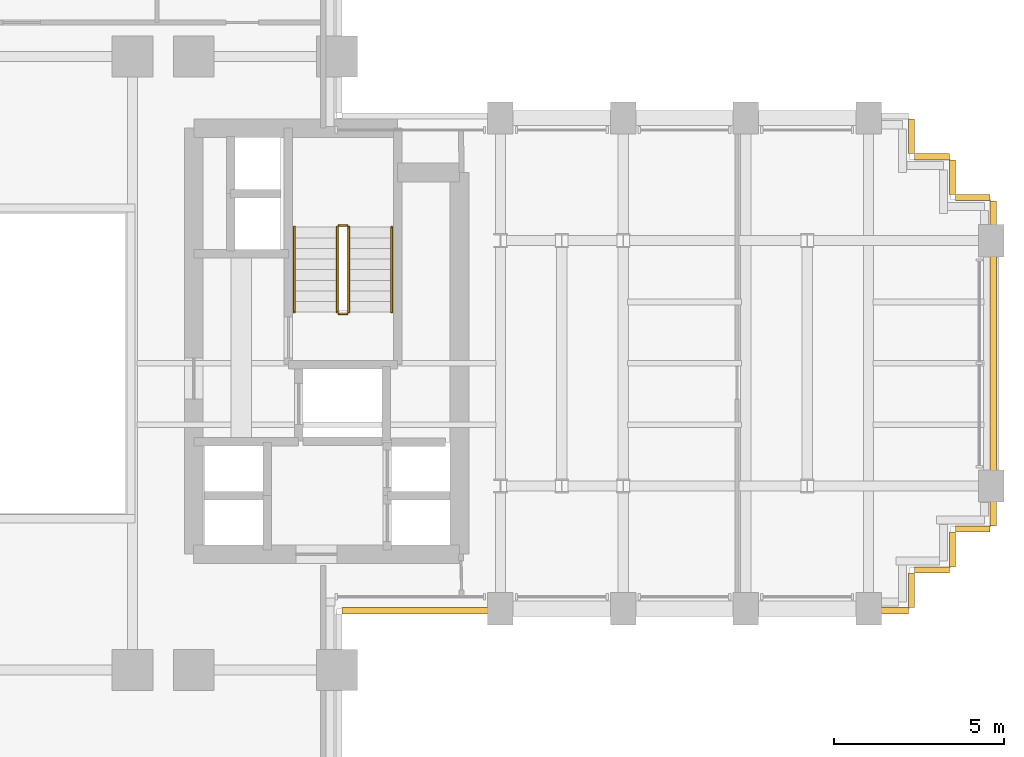
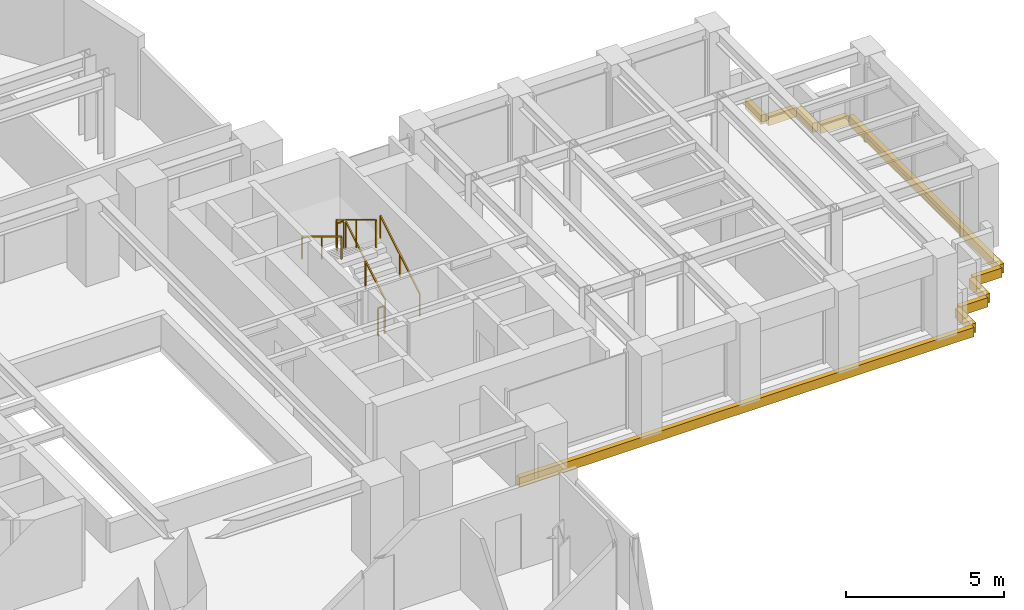
# One storey, part 15 of 16: 10 coverings, 6 railings.
"""IFC4 building model written with IfcOpenShell, lengths in metres."""

from ifc_helpers import new_model, si_unit, direction, frame, origin, origin_2d, place, context, subcontext, project, spatial, rectangle, extrude, source, transform, mapped, material, layer, layer_set, type_object, element, save


model = new_model("IFC4")

# Units and contexts
model_context = context("Model", 3, precision=1e-05, world=origin(), true_north=direction((0.0, 1.0)))
body_context = subcontext(model_context, "Body", "Model", "MODEL_VIEW")
ifc_project = project(units=[si_unit("LENGTHUNIT", "METRE"), si_unit("AREAUNIT", "SQUARE_METRE"), si_unit("VOLUMEUNIT", "CUBIC_METRE"), si_unit("PLANEANGLEUNIT", "RADIAN"), si_unit("MASSUNIT", "GRAM", prefix="KILO")], contexts=[model_context])

# Site, building, storey
site_placement = place(None, origin())
site = spatial("IfcSite", under=ifc_project, at=site_placement, CompositionType="ELEMENT")
building_placement = place(site_placement, origin())
building = spatial("IfcBuilding", under=site, at=building_placement, Name="Keilestroom Media Tower", CompositionType="ELEMENT")
storey_placement = place(building_placement, frame((0.0, 0.0, 81.60009765625)))
storey = spatial("IfcBuildingStorey", under=building, at=storey_placement, Name="L21", CompositionType="ELEMENT", Elevation=81.60009765625)

# Railings
ifc_material_1 = material(Name="Brushed Stainless Steel 1.4301", Category="steel")
railing_type_1 = type_object("IfcRailingType", Name="Stair-Pitch-Handrail-920", PredefinedType="HANDRAIL", material=ifc_material_1)
railing_1_placement = place(storey_placement, frame((11.2099609375, 1.5, 0.188720703125)))
element("IfcRailing", 1, at=railing_1_placement, inside=storey, type_object=railing_type_1, Name="L21 ST-2 stair handrail 1", PredefinedType="HANDRAIL", context=body_context, shape_type="SweptSolid", body=[
    extrude(rectangle(XDim=0.048095703125, YDim=0.048095703125, at=origin_2d()), frame((0.0, 0.0, 0.8759765625), z_axis=(0.0, 0.855433747314, 0.517912255074), x_axis=(-1.0, 0.0, 0.0)), (0.0, 0.0, 1.0), 2.91796875),
    extrude(rectangle(XDim=0.0419921875, YDim=0.0419921875, at=origin_2d()), origin(), (0.0, 0.0, 1.0), 0.84375),
    extrude(rectangle(XDim=0.0419921875, YDim=0.0419921875, at=origin_2d()), frame((0.0, 1.248046875, 0.755615234375)), (0.0, 0.0, 1.0), 0.84375),
    extrude(rectangle(XDim=0.0419921875, YDim=0.0419921875, at=origin_2d()), frame((0.0, 2.49609375, 1.51123046875)), (0.0, 0.0, 1.0), 0.84375),
])
railing_2_placement = place(storey_placement, frame((8.35009765625, 3.99609375, 1.888671875)))
element("IfcRailing", 2, at=railing_2_placement, inside=storey, type_object=railing_type_1, Name="L21 ST-2 stair handrail 2", PredefinedType="HANDRAIL", context=body_context, shape_type="SweptSolid", body=[
    extrude(rectangle(XDim=0.048095703125, YDim=0.048095703125, at=origin_2d()), frame((0.0, 0.0, 0.8759765625), z_axis=(0.0, -0.855433747314, 0.517912255074), x_axis=(1.0, 0.0, 0.0)), (0.0, 0.0, 1.0), 2.91796875),
    extrude(rectangle(XDim=0.0419921875, YDim=0.0419921875, at=origin_2d()), origin(), (0.0, 0.0, 1.0), 0.84375),
    extrude(rectangle(XDim=0.0419921875, YDim=0.0419921875, at=origin_2d()), frame((0.0, -1.248046875, 0.755615234375)), (0.0, 0.0, 1.0), 0.84375),
    extrude(rectangle(XDim=0.0419921875, YDim=0.0419921875, at=origin_2d()), frame((0.0, -2.49609375, 1.51123046875)), (0.0, 0.0, 1.0), 0.84375),
])
ifc_material_2 = material(Name="Painted Steel Balustrade", Category="steel")
railing_type_2 = type_object("IfcRailingType", Name="Stair-Well-And-Landing-Guard-1100", PredefinedType="GUARDRAIL", material=ifc_material_2)
railing_3_placement = place(storey_placement, frame((9.949951171875, 1.5, 0.188720703125)))
element("IfcRailing", 3, at=railing_3_placement, inside=storey, type_object=railing_type_2, Name="L21 ST-2 stair guard 1", PredefinedType="GUARDRAIL", context=body_context, shape_type="SweptSolid", body=[
    extrude(rectangle(XDim=0.048095703125, YDim=0.048095703125, at=origin_2d()), frame((0.0, 0.0, 1.076171875), z_axis=(0.0, 0.855433747314, 0.517912255074), x_axis=(-1.0, 0.0, 0.0)), (0.0, 0.0, 1.0), 2.91796875),
    extrude(rectangle(XDim=0.0419921875, YDim=0.0419921875, at=origin_2d()), origin(), (0.0, 0.0, 1.0), 1.0439453125),
    extrude(rectangle(XDim=0.0419921875, YDim=0.0419921875, at=origin_2d()), frame((0.0, 1.248046875, 0.755615234375)), (0.0, 0.0, 1.0), 1.0439453125),
    extrude(rectangle(XDim=0.0419921875, YDim=0.0419921875, at=origin_2d()), frame((0.0, 2.49609375, 1.51123046875)), (0.0, 0.0, 1.0), 1.0439453125),
])
railing_4_placement = place(storey_placement, frame((9.89990234375, 4.0458984375, 1.699951171875)))
element("IfcRailing", 4, at=railing_4_placement, inside=storey, type_object=railing_type_2, Name="L21 ST-2 stair guard 2", PredefinedType="GUARDRAIL", context=body_context, shape_type="SweptSolid", body=[
    extrude(rectangle(XDim=0.048095703125, YDim=0.048095703125, at=origin_2d()), frame((0.0, 0.0, 1.076171875), z_axis=(-1.0, 0.0, 0.0), x_axis=(0.0, -1.0, 0.0)), (0.0, 0.0, 1.0), 0.239990234375),
    extrude(rectangle(XDim=0.0419921875, YDim=0.0419921875, at=origin_2d()), origin(), (0.0, 0.0, 1.0), 1.0439453125),
    extrude(rectangle(XDim=0.0419921875, YDim=0.0419921875, at=origin_2d()), frame((-0.239990234375, 0.0, 0.0)), (0.0, 0.0, 1.0), 1.0439453125),
])
railing_5_placement = place(storey_placement, frame((9.610107421875, 3.99609375, 1.888671875)))
element("IfcRailing", 5, at=railing_5_placement, inside=storey, type_object=railing_type_2, Name="L21 ST-2 stair guard 3", PredefinedType="GUARDRAIL", context=body_context, shape_type="SweptSolid", body=[
    extrude(rectangle(XDim=0.048095703125, YDim=0.048095703125, at=origin_2d()), frame((0.0, 0.0, 1.076171875), z_axis=(0.0, -0.855433747314, 0.517912255074), x_axis=(1.0, 0.0, 0.0)), (0.0, 0.0, 1.0), 2.91796875),
    extrude(rectangle(XDim=0.0419921875, YDim=0.0419921875, at=origin_2d()), origin(), (0.0, 0.0, 1.0), 1.0439453125),
    extrude(rectangle(XDim=0.0419921875, YDim=0.0419921875, at=origin_2d()), frame((0.0, -1.248046875, 0.755615234375)), (0.0, 0.0, 1.0), 1.0439453125),
    extrude(rectangle(XDim=0.0419921875, YDim=0.0419921875, at=origin_2d()), frame((0.0, -2.49609375, 1.51123046875)), (0.0, 0.0, 1.0), 1.0439453125),
])
railing_6_placement = place(storey_placement, frame((9.89990234375, 1.449951171875, 0.0)))
element("IfcRailing", 6, at=railing_6_placement, inside=storey, type_object=railing_type_2, Name="L21 ST-2 stair guard 4", PredefinedType="GUARDRAIL", context=body_context, shape_type="SweptSolid", body=[
    extrude(rectangle(XDim=0.048095703125, YDim=0.048095703125, at=origin_2d()), frame((0.0, 0.0, 1.076171875), z_axis=(-1.0, 0.0, 0.0), x_axis=(0.0, -1.0, 0.0)), (0.0, 0.0, 1.0), 0.239990234375),
    extrude(rectangle(XDim=0.0419921875, YDim=0.0419921875, at=origin_2d()), origin(), (0.0, 0.0, 1.0), 1.0439453125),
    extrude(rectangle(XDim=0.0419921875, YDim=0.0419921875, at=origin_2d()), frame((-0.239990234375, 0.0, 0.0)), (0.0, 0.0, 1.0), 1.0439453125),
])

# Coverings
ifc_material_3 = material(Name="Precast concrete C40/50", Category="concrete")
ifc_layer = layer(ifc_material_3, 0.1201171875)
ifc_layer_set = layer_set([ifc_layer], Name="Precast concrete C40/50")
covering_type = type_object("IfcCoveringType", Name="Exterior-Precast-Spandrel-Cladding-Panel-120", PredefinedType="CLADDING", material=ifc_layer_set)
shared_shape_1 = source(origin(), body_context, "Body", "SweptSolid", [
    extrude(rectangle(XDim=1.02001953125, YDim=0.179931640625, at=origin_2d()), origin(), (0.0, 0.0, 1.0), 0.360107421875),
])
for number, where, z_axis, x_axis, name in (
    (7, (28.260009765625, -4.860107421875, -0.5400390625), (0.0, 0.0, 1.0), (-1.0, 0.0, 0.0), "L21 Precast Slab-Edge Fascia Cornice 01"),
    (8, (27.659912109375, -5.4599609375, -0.5400390625), (0.0, 0.0, 1.0), (0.0, -1.0, 0.0), "L21 Precast Slab-Edge Fascia Cornice 02"),
    (9, (27.06005859375, -6.06005859375, -0.5400390625), (0.0, 0.0, 1.0), (-1.0, 0.0, 0.0), "L21 Precast Slab-Edge Fascia Cornice 03"),
    (10, (26.4599609375, -6.659912109375, -0.5400390625), (0.0, 0.0, 1.0), (0.0, -1.0, 0.0), "L21 Precast Slab-Edge Fascia Cornice 04"),
    (11, (26.4599609375, 6.659912109375, -0.5400390625), (0.0, 0.0, 1.0), (0.0, -1.0, 0.0), "L21 Precast Slab-Edge Fascia Cornice 38"),
    (12, (27.06005859375, 6.06005859375, -0.5400390625), (0.0, 0.0, 1.0), (1.0, 0.0, 0.0), "L21 Precast Slab-Edge Fascia Cornice 39"),
    (13, (27.659912109375, 5.4599609375, -0.5400390625), (0.0, 0.0, 1.0), (0.0, -1.0, 0.0), "L21 Precast Slab-Edge Fascia Cornice 40"),
    (14, (28.260009765625, 4.860107421875, -0.5400390625), (0.0, 0.0, 1.0), (1.0, 0.0, 0.0), "L21 Precast Slab-Edge Fascia Cornice 41"),
):
    element("IfcCovering", number, at=place(storey_placement, frame(where, z_axis=z_axis, x_axis=x_axis)), inside=storey, type_object=covering_type, Name=name, PredefinedType="CLADDING", context=body_context, shape_type="MappedRepresentation", body=[
        mapped(shared_shape_1, transform((0.0, 0.0, 0.0), x_axis=(1.0, 0.0, 0.0), y_axis=(0.0, 1.0, 0.0), z_axis=(0.0, 0.0, 1.0), scale=1.0)),
    ])
shared_shape_2 = source(origin(), body_context, "Body", "SweptSolid", [
    extrude(rectangle(XDim=16.6201171875, YDim=0.179931640625, at=origin_2d()), origin(), (0.0, 0.0, 1.0), 0.360107421875),
])
covering_1_placement = place(storey_placement, frame((18.06005859375, -7.260009765625, -0.5400390625), z_axis=(0.0, 0.0, 1.0), x_axis=(-1.0, 0.0, 0.0)))
element("IfcCovering", 15, at=covering_1_placement, inside=storey, type_object=covering_type, Name="L21 Precast Slab-Edge Fascia Cornice 05", PredefinedType="CLADDING", context=body_context, shape_type="MappedRepresentation", body=[
    mapped(shared_shape_2, transform((0.0, 0.0, 0.0), x_axis=(1.0, 0.0, 0.0), y_axis=(0.0, 1.0, 0.0), z_axis=(0.0, 0.0, 1.0), scale=1.0)),
])
shared_shape_3 = source(origin(), body_context, "Body", "SweptSolid", [
    extrude(rectangle(XDim=9.5400390625, YDim=0.179931640625, at=origin_2d()), origin(), (0.0, 0.0, 1.0), 0.360107421875),
])
covering_2_placement = place(storey_placement, frame((28.860107421875, 0.0, -0.5400390625), z_axis=(0.0, 0.0, 1.0), x_axis=(0.0, -1.0, 0.0)))
element("IfcCovering", 16, at=covering_2_placement, inside=storey, type_object=covering_type, Name="L21 Precast Slab-Edge Fascia Cornice 42", PredefinedType="CLADDING", context=body_context, shape_type="MappedRepresentation", body=[
    mapped(shared_shape_3, transform((0.0, 0.0, 0.0), x_axis=(1.0, 0.0, 0.0), y_axis=(0.0, 1.0, 0.0), z_axis=(0.0, 0.0, 1.0), scale=1.0)),
])

save(model, "model.ifc")
